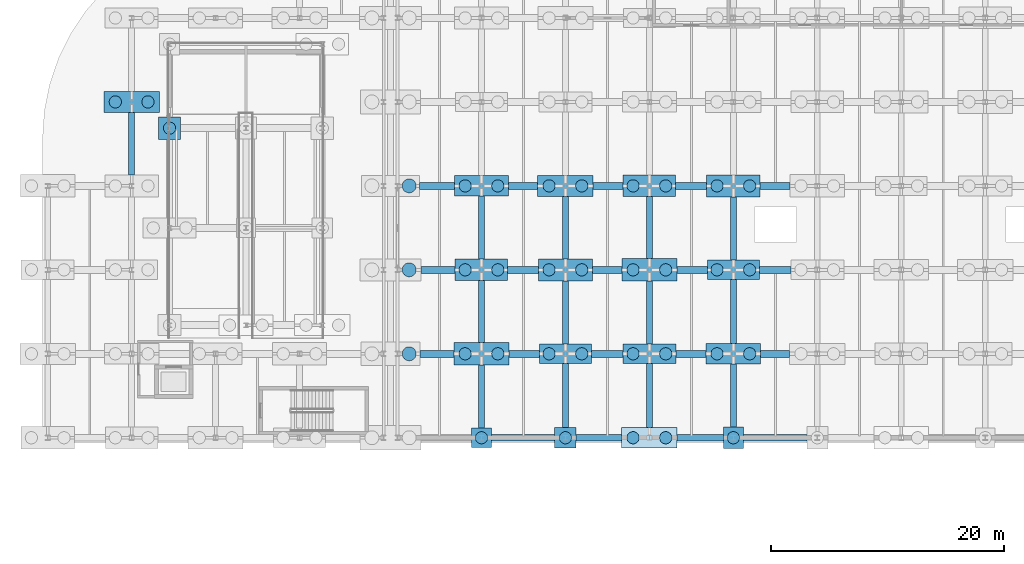
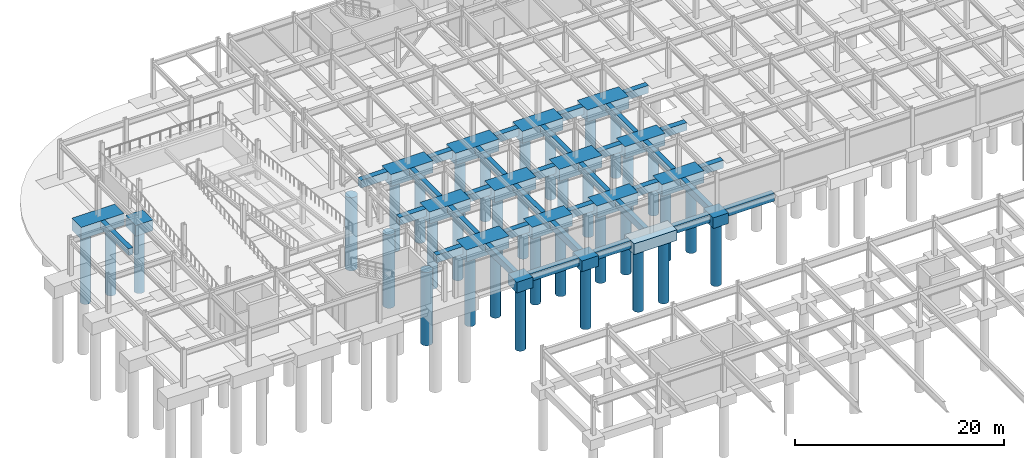
# One storey, part 3 of 54: 50 footings, 35 piles.
"""IFC4 building model written with IfcOpenShell, lengths in metres."""

from ifc_helpers import new_model, si_unit, direction, frame, origin, origin_2d, place, context, subcontext, project, spatial, polyline, rectangle, circle, outline, extrude, material, material_profile, profile_set, type_object, element, save


model = new_model("IFC4")

# Units and contexts
model_context = context("Model", 3, precision=1e-05, world=origin(), true_north=direction((0.0, 1.0)))
body_context = subcontext(model_context, "Body", "Model", "MODEL_VIEW")
ifc_project = project(units=[si_unit("LENGTHUNIT", "METRE"), si_unit("AREAUNIT", "SQUARE_METRE"), si_unit("VOLUMEUNIT", "CUBIC_METRE"), si_unit("PLANEANGLEUNIT", "RADIAN"), si_unit("MASSUNIT", "GRAM", prefix="KILO")], contexts=[model_context])

# Site, building, storey
site_placement = place(None, origin())
site = spatial("IfcSite", under=ifc_project, at=site_placement, CompositionType="ELEMENT")
building_placement = place(site_placement, origin())
building = spatial("IfcBuilding", under=site, at=building_placement, Name="Vaelcorin Mobility Hub", CompositionType="ELEMENT")
storey_placement = place(building_placement, frame((0.0, 0.0, -4.5)))
storey = spatial("IfcBuildingStorey", under=building, at=storey_placement, Name="B1", CompositionType="ELEMENT", Elevation=-4.5)

# Footings
ifc_material = material(Name="Concrete f'c 40 MPa", Category="concrete")
footing_type_1 = type_object("IfcFootingType", Name="FB-500X800", PredefinedType="FOOTING_BEAM", material=ifc_material)
footing_1_placement = place(storey_placement, frame((0.0, 0.0, -0.800048828125)))
element("IfcFooting", 1, at=footing_1_placement, inside=storey, type_object=footing_type_1, Name="Foundation Tie Beam FB-Y-268", PredefinedType="FOOTING_BEAM", context=body_context, shape_type="SweptSolid", body=[
    extrude(outline(polyline([(12.949951171875, 99.35009765625), (13.449951171875, 99.35009765625), (13.449951171875, 104.699951171875), (12.949951171875, 104.699951171875), (12.949951171875, 99.35009765625)])), origin(), (0.0, 0.0, 1.0), 0.800048828125),
])
footing_2_placement = place(storey_placement, frame((0.0, 0.0, -0.800048828125)))
element("IfcFooting", 2, at=footing_2_placement, inside=storey, type_object=footing_type_1, Name="Foundation Tie Beam FB-Y-281", PredefinedType="FOOTING_BEAM", context=body_context, shape_type="SweptSolid", body=[
    extrude(outline(polyline([(42.949951171875, 77.64990234375), (43.449951171875, 77.64990234375), (43.449951171875, 83.02490234375), (42.949951171875, 83.02490234375), (42.949951171875, 77.64990234375)])), origin(), (0.0, 0.0, 1.0), 0.800048828125),
])
footing_3_placement = place(storey_placement, frame((0.0, 0.0, -0.800048828125)))
element("IfcFooting", 3, at=footing_3_placement, inside=storey, type_object=footing_type_1, Name="Foundation Tie Beam FB-Y-282", PredefinedType="FOOTING_BEAM", context=body_context, shape_type="SweptSolid", body=[
    extrude(outline(polyline([(42.949951171875, 84.97509765625), (43.449951171875, 84.97509765625), (43.449951171875, 90.27490234375), (42.949951171875, 90.27490234375), (42.949951171875, 84.97509765625)])), origin(), (0.0, 0.0, 1.0), 0.800048828125),
])
footing_4_placement = place(storey_placement, frame((0.0, 0.0, -0.800048828125)))
element("IfcFooting", 4, at=footing_4_placement, inside=storey, type_object=footing_type_1, Name="Foundation Tie Beam FB-Y-283", PredefinedType="FOOTING_BEAM", context=body_context, shape_type="SweptSolid", body=[
    extrude(outline(polyline([(42.949951171875, 92.125), (43.449951171875, 92.125), (43.449951171875, 97.52490234375), (42.949951171875, 97.52490234375), (42.949951171875, 92.125)])), origin(), (0.0, 0.0, 1.0), 0.800048828125),
])
footing_5_placement = place(storey_placement, frame((0.0, 0.0, -0.800048828125)))
element("IfcFooting", 5, at=footing_5_placement, inside=storey, type_object=footing_type_1, Name="Foundation Tie Beam FB-Y-288", PredefinedType="FOOTING_BEAM", context=body_context, shape_type="SweptSolid", body=[
    extrude(outline(polyline([(50.14990234375, 77.675048828125), (50.64990234375, 77.675048828125), (50.64990234375, 83.175048828125), (50.14990234375, 83.175048828125), (50.14990234375, 77.675048828125)])), origin(), (0.0, 0.0, 1.0), 0.800048828125),
])
footing_6_placement = place(storey_placement, frame((0.0, 0.0, -0.800048828125)))
element("IfcFooting", 6, at=footing_6_placement, inside=storey, type_object=footing_type_1, Name="Foundation Tie Beam FB-Y-289", PredefinedType="FOOTING_BEAM", context=body_context, shape_type="SweptSolid", body=[
    extrude(outline(polyline([(50.14990234375, 84.824951171875), (50.64990234375, 84.824951171875), (50.64990234375, 90.25), (50.14990234375, 90.25), (50.14990234375, 84.824951171875)])), origin(), (0.0, 0.0, 1.0), 0.800048828125),
])
footing_7_placement = place(storey_placement, frame((0.0, 0.0, -0.800048828125)))
element("IfcFooting", 7, at=footing_7_placement, inside=storey, type_object=footing_type_1, Name="Foundation Tie Beam FB-Y-290", PredefinedType="FOOTING_BEAM", context=body_context, shape_type="SweptSolid", body=[
    extrude(outline(polyline([(50.14990234375, 92.14990234375), (50.64990234375, 92.14990234375), (50.64990234375, 97.5), (50.14990234375, 97.5), (50.14990234375, 92.14990234375)])), origin(), (0.0, 0.0, 1.0), 0.800048828125),
])
footing_8_placement = place(storey_placement, frame((0.0, 0.0, -0.800048828125)))
element("IfcFooting", 8, at=footing_8_placement, inside=storey, type_object=footing_type_1, Name="Foundation Tie Beam FB-Y-295", PredefinedType="FOOTING_BEAM", context=body_context, shape_type="SweptSolid", body=[
    extrude(outline(polyline([(57.35009765625, 77.699951171875), (57.85009765625, 77.699951171875), (57.85009765625, 83.14990234375), (57.35009765625, 83.14990234375), (57.35009765625, 77.699951171875)])), origin(), (0.0, 0.0, 1.0), 0.800048828125),
])
footing_9_placement = place(storey_placement, frame((0.0, 0.0, -0.800048828125)))
element("IfcFooting", 9, at=footing_9_placement, inside=storey, type_object=footing_type_1, Name="Foundation Tie Beam FB-Y-296", PredefinedType="FOOTING_BEAM", context=body_context, shape_type="SweptSolid", body=[
    extrude(outline(polyline([(57.35009765625, 84.85009765625), (57.85009765625, 84.85009765625), (57.85009765625, 90.22509765625), (57.35009765625, 90.22509765625), (57.35009765625, 84.85009765625)])), origin(), (0.0, 0.0, 1.0), 0.800048828125),
])
footing_10_placement = place(storey_placement, frame((0.0, 0.0, -0.800048828125)))
element("IfcFooting", 10, at=footing_10_placement, inside=storey, type_object=footing_type_1, Name="Foundation Tie Beam FB-Y-297", PredefinedType="FOOTING_BEAM", context=body_context, shape_type="SweptSolid", body=[
    extrude(outline(polyline([(57.35009765625, 92.175048828125), (57.85009765625, 92.175048828125), (57.85009765625, 97.47509765625), (57.35009765625, 97.47509765625), (57.35009765625, 92.175048828125)])), origin(), (0.0, 0.0, 1.0), 0.800048828125),
])
footing_11_placement = place(storey_placement, frame((0.0, 0.0, -0.800048828125)))
element("IfcFooting", 11, at=footing_11_placement, inside=storey, type_object=footing_type_1, Name="Foundation Tie Beam FB-Y-302", PredefinedType="FOOTING_BEAM", context=body_context, shape_type="SweptSolid", body=[
    extrude(outline(polyline([(64.550048828125, 77.72509765625), (65.050048828125, 77.72509765625), (65.050048828125, 83.125), (64.550048828125, 83.125), (64.550048828125, 77.72509765625)])), origin(), (0.0, 0.0, 1.0), 0.800048828125),
])
footing_12_placement = place(storey_placement, frame((0.0, 0.0, -0.800048828125)))
element("IfcFooting", 12, at=footing_12_placement, inside=storey, type_object=footing_type_1, Name="Foundation Tie Beam FB-Y-303", PredefinedType="FOOTING_BEAM", context=body_context, shape_type="SweptSolid", body=[
    extrude(outline(polyline([(64.550048828125, 84.875), (65.050048828125, 84.875), (65.050048828125, 90.375), (64.550048828125, 90.375), (64.550048828125, 84.875)])), origin(), (0.0, 0.0, 1.0), 0.800048828125),
])
footing_13_placement = place(storey_placement, frame((0.0, 0.0, -0.800048828125)))
element("IfcFooting", 13, at=footing_13_placement, inside=storey, type_object=footing_type_1, Name="Foundation Tie Beam FB-Y-304", PredefinedType="FOOTING_BEAM", context=body_context, shape_type="SweptSolid", body=[
    extrude(outline(polyline([(64.550048828125, 92.02490234375), (65.050048828125, 92.02490234375), (65.050048828125, 97.449951171875), (64.550048828125, 97.449951171875), (64.550048828125, 92.02490234375)])), origin(), (0.0, 0.0, 1.0), 0.800048828125),
])
footing_type_2 = type_object("IfcFootingType", Name="FB-600X900", PredefinedType="FOOTING_BEAM", material=ifc_material)
footing_14_placement = place(storey_placement, frame((0.0, 0.0, -0.89990234375)))
element("IfcFooting", 14, at=footing_14_placement, inside=storey, type_object=footing_type_2, Name="Foundation Tie Beam FB-X-006", PredefinedType="FOOTING_BEAM", context=body_context, shape_type="SweptSolid", body=[
    extrude(outline(polyline([(44.074951171875, 76.5), (49.47509765625, 76.5), (49.47509765625, 77.10009765625), (44.074951171875, 77.10009765625), (44.074951171875, 76.5)])), origin(), (0.0, 0.0, 1.0), 0.89990234375),
])
footing_15_placement = place(storey_placement, frame((0.0, 0.0, -0.89990234375)))
element("IfcFooting", 15, at=footing_15_placement, inside=storey, type_object=footing_type_2, Name="Foundation Tie Beam FB-X-007", PredefinedType="FOOTING_BEAM", context=body_context, shape_type="SweptSolid", body=[
    extrude(outline(polyline([(51.324951171875, 76.5), (55.22509765625, 76.5), (55.22509765625, 77.10009765625), (51.324951171875, 77.10009765625), (51.324951171875, 76.5)])), origin(), (0.0, 0.0, 1.0), 0.89990234375),
])
footing_16_placement = place(storey_placement, frame((0.0, 0.0, -0.89990234375)))
element("IfcFooting", 16, at=footing_16_placement, inside=storey, type_object=footing_type_2, Name="Foundation Tie Beam FB-X-008", PredefinedType="FOOTING_BEAM", context=body_context, shape_type="SweptSolid", body=[
    extrude(outline(polyline([(59.97509765625, 76.5), (63.949951171875, 76.5), (63.949951171875, 77.10009765625), (59.97509765625, 77.10009765625), (59.97509765625, 76.5)])), origin(), (0.0, 0.0, 1.0), 0.89990234375),
])
footing_17_placement = place(storey_placement, frame((0.0, 0.0, -0.89990234375)))
element("IfcFooting", 17, at=footing_17_placement, inside=storey, type_object=footing_type_2, Name="Foundation Tie Beam FB-X-009", PredefinedType="FOOTING_BEAM", context=body_context, shape_type="SweptSolid", body=[
    extrude(outline(polyline([(65.64990234375, 76.5), (71.10009765625, 76.5), (71.10009765625, 77.10009765625), (65.64990234375, 77.10009765625), (65.64990234375, 76.5)])), origin(), (0.0, 0.0, 1.0), 0.89990234375),
])
footing_18_placement = place(storey_placement, frame((0.0, 0.0, -0.89990234375)))
element("IfcFooting", 18, at=footing_18_placement, inside=storey, type_object=footing_type_2, Name="Foundation Tie Beam FB-X-032", PredefinedType="FOOTING_BEAM", context=body_context, shape_type="SweptSolid", body=[
    extrude(outline(polyline([(37.925048828125, 83.699951171875), (40.85009765625, 83.699951171875), (40.85009765625, 84.300048828125), (37.925048828125, 84.300048828125), (37.925048828125, 83.699951171875)])), origin(), (0.0, 0.0, 1.0), 0.89990234375),
])
footing_19_placement = place(storey_placement, frame((0.0, 0.0, -0.89990234375)))
element("IfcFooting", 19, at=footing_19_placement, inside=storey, type_object=footing_type_2, Name="Foundation Tie Beam FB-X-033", PredefinedType="FOOTING_BEAM", context=body_context, shape_type="SweptSolid", body=[
    extrude(outline(polyline([(45.550048828125, 83.699951171875), (48.175048828125, 83.699951171875), (48.175048828125, 84.300048828125), (45.550048828125, 84.300048828125), (45.550048828125, 83.699951171875)])), origin(), (0.0, 0.0, 1.0), 0.89990234375),
])
footing_20_placement = place(storey_placement, frame((0.0, 0.0, -0.89990234375)))
element("IfcFooting", 20, at=footing_20_placement, inside=storey, type_object=footing_type_2, Name="Foundation Tie Beam FB-X-034", PredefinedType="FOOTING_BEAM", context=body_context, shape_type="SweptSolid", body=[
    extrude(outline(polyline([(52.625, 83.699951171875), (55.324951171875, 83.699951171875), (55.324951171875, 84.300048828125), (52.625, 84.300048828125), (52.625, 83.699951171875)])), origin(), (0.0, 0.0, 1.0), 0.89990234375),
])
footing_21_placement = place(storey_placement, frame((0.0, 0.0, -0.89990234375)))
element("IfcFooting", 21, at=footing_21_placement, inside=storey, type_object=footing_type_2, Name="Foundation Tie Beam FB-X-035", PredefinedType="FOOTING_BEAM", context=body_context, shape_type="SweptSolid", body=[
    extrude(outline(polyline([(59.875, 83.699951171875), (62.47509765625, 83.699951171875), (62.47509765625, 84.300048828125), (59.875, 84.300048828125), (59.875, 83.699951171875)])), origin(), (0.0, 0.0, 1.0), 0.89990234375),
])
footing_22_placement = place(storey_placement, frame((0.0, 0.0, -0.89990234375)))
element("IfcFooting", 22, at=footing_22_placement, inside=storey, type_object=footing_type_2, Name="Foundation Tie Beam FB-X-036", PredefinedType="FOOTING_BEAM", context=body_context, shape_type="SweptSolid", body=[
    extrude(outline(polyline([(67.125, 83.699951171875), (69.625, 83.699951171875), (69.625, 84.300048828125), (67.125, 84.300048828125), (67.125, 83.699951171875)])), origin(), (0.0, 0.0, 1.0), 0.89990234375),
])
footing_23_placement = place(storey_placement, frame((0.0, 0.0, -0.89990234375)))
element("IfcFooting", 23, at=footing_23_placement, inside=storey, type_object=footing_type_2, Name="Foundation Tie Beam FB-X-056", PredefinedType="FOOTING_BEAM", context=body_context, shape_type="SweptSolid", body=[
    extrude(outline(polyline([(38.0, 90.89990234375), (40.949951171875, 90.89990234375), (40.949951171875, 91.5), (38.0, 91.5), (38.0, 90.89990234375)])), origin(), (0.0, 0.0, 1.0), 0.89990234375),
])
footing_24_placement = place(storey_placement, frame((0.0, 0.0, -0.89990234375)))
element("IfcFooting", 24, at=footing_24_placement, inside=storey, type_object=footing_type_2, Name="Foundation Tie Beam FB-X-057", PredefinedType="FOOTING_BEAM", context=body_context, shape_type="SweptSolid", body=[
    extrude(outline(polyline([(45.449951171875, 90.89990234375), (48.10009765625, 90.89990234375), (48.10009765625, 91.5), (45.449951171875, 91.5), (45.449951171875, 90.89990234375)])), origin(), (0.0, 0.0, 1.0), 0.89990234375),
])
footing_25_placement = place(storey_placement, frame((0.0, 0.0, -0.89990234375)))
element("IfcFooting", 25, at=footing_25_placement, inside=storey, type_object=footing_type_2, Name="Foundation Tie Beam FB-X-058", PredefinedType="FOOTING_BEAM", context=body_context, shape_type="SweptSolid", body=[
    extrude(outline(polyline([(52.699951171875, 90.89990234375), (55.25, 90.89990234375), (55.25, 91.5), (52.699951171875, 91.5), (52.699951171875, 90.89990234375)])), origin(), (0.0, 0.0, 1.0), 0.89990234375),
])
footing_26_placement = place(storey_placement, frame((0.0, 0.0, -0.89990234375)))
element("IfcFooting", 26, at=footing_26_placement, inside=storey, type_object=footing_type_2, Name="Foundation Tie Beam FB-X-059", PredefinedType="FOOTING_BEAM", context=body_context, shape_type="SweptSolid", body=[
    extrude(outline(polyline([(59.949951171875, 90.89990234375), (62.574951171875, 90.89990234375), (62.574951171875, 91.5), (59.949951171875, 91.5), (59.949951171875, 90.89990234375)])), origin(), (0.0, 0.0, 1.0), 0.89990234375),
])
footing_27_placement = place(storey_placement, frame((0.0, 0.0, -0.89990234375)))
element("IfcFooting", 27, at=footing_27_placement, inside=storey, type_object=footing_type_2, Name="Foundation Tie Beam FB-X-060", PredefinedType="FOOTING_BEAM", context=body_context, shape_type="SweptSolid", body=[
    extrude(outline(polyline([(67.02490234375, 90.89990234375), (69.72509765625, 90.89990234375), (69.72509765625, 91.5), (67.02490234375, 91.5), (67.02490234375, 90.89990234375)])), origin(), (0.0, 0.0, 1.0), 0.89990234375),
])
footing_28_placement = place(storey_placement, frame((0.0, 0.0, -0.89990234375)))
element("IfcFooting", 28, at=footing_28_placement, inside=storey, type_object=footing_type_2, Name="Foundation Tie Beam FB-X-077", PredefinedType="FOOTING_BEAM", context=body_context, shape_type="SweptSolid", body=[
    extrude(outline(polyline([(37.89990234375, 98.10009765625), (40.875, 98.10009765625), (40.875, 98.699951171875), (37.89990234375, 98.699951171875), (37.89990234375, 98.10009765625)])), origin(), (0.0, 0.0, 1.0), 0.89990234375),
])
footing_29_placement = place(storey_placement, frame((0.0, 0.0, -0.89990234375)))
element("IfcFooting", 29, at=footing_29_placement, inside=storey, type_object=footing_type_2, Name="Foundation Tie Beam FB-X-078", PredefinedType="FOOTING_BEAM", context=body_context, shape_type="SweptSolid", body=[
    extrude(outline(polyline([(45.52490234375, 98.10009765625), (48.02490234375, 98.10009765625), (48.02490234375, 98.699951171875), (45.52490234375, 98.699951171875), (45.52490234375, 98.10009765625)])), origin(), (0.0, 0.0, 1.0), 0.89990234375),
])
footing_30_placement = place(storey_placement, frame((0.0, 0.0, -0.89990234375)))
element("IfcFooting", 30, at=footing_30_placement, inside=storey, type_object=footing_type_2, Name="Foundation Tie Beam FB-X-079", PredefinedType="FOOTING_BEAM", context=body_context, shape_type="SweptSolid", body=[
    extrude(outline(polyline([(52.77490234375, 98.10009765625), (55.35009765625, 98.10009765625), (55.35009765625, 98.699951171875), (52.77490234375, 98.699951171875), (52.77490234375, 98.10009765625)])), origin(), (0.0, 0.0, 1.0), 0.89990234375),
])
footing_31_placement = place(storey_placement, frame((0.0, 0.0, -0.89990234375)))
element("IfcFooting", 31, at=footing_31_placement, inside=storey, type_object=footing_type_2, Name="Foundation Tie Beam FB-X-080", PredefinedType="FOOTING_BEAM", context=body_context, shape_type="SweptSolid", body=[
    extrude(outline(polyline([(59.85009765625, 98.10009765625), (62.5, 98.10009765625), (62.5, 98.699951171875), (59.85009765625, 98.699951171875), (59.85009765625, 98.10009765625)])), origin(), (0.0, 0.0, 1.0), 0.89990234375),
])
footing_32_placement = place(storey_placement, frame((0.0, 0.0, -0.89990234375)))
element("IfcFooting", 32, at=footing_32_placement, inside=storey, type_object=footing_type_2, Name="Foundation Tie Beam FB-X-081", PredefinedType="FOOTING_BEAM", context=body_context, shape_type="SweptSolid", body=[
    extrude(outline(polyline([(67.10009765625, 98.10009765625), (69.64990234375, 98.10009765625), (69.64990234375, 98.699951171875), (67.10009765625, 98.699951171875), (67.10009765625, 98.10009765625)])), origin(), (0.0, 0.0, 1.0), 0.89990234375),
])
footing_type_3 = type_object("IfcFootingType", Name="FTG-PC-01", PredefinedType="PILE_CAP", material=ifc_material)
for number, where, z_axis, x_axis, name in (
    (33, (50.39990234375, 91.199951171875, -1.39990234375), (0.0, 0.0, 1.0), (1.0, 0.0, 0.0), "Pile Cap PC-01 043"),
    (34, (64.800048828125, 98.39990234375, -1.39990234375), (0.0, 0.0, 1.0), (1.0, 0.0, 0.0), "Pile Cap PC-01 064"),
):
    element("IfcFooting", number, at=place(storey_placement, frame(where, z_axis=z_axis, x_axis=x_axis)), inside=storey, type_object=footing_type_3, Name=name, PredefinedType="PILE_CAP", context=body_context, shape_type="SweptSolid", body=[
        extrude(rectangle(XDim=4.60009765625, YDim=1.89990234375, at=origin_2d()), origin(), (0.0, 0.0, 1.0), 1.39990234375),
    ])
footing_type_4 = type_object("IfcFootingType", Name="FTG-PC-02", PredefinedType="PILE_CAP", material=ifc_material)
for number, where, z_axis, x_axis, name in (
    (35, (13.199951171875, 105.60009765625, -1.39990234375), (0.0, 0.0, 1.0), (1.0, 0.0, 0.0), "Pile Cap PC-02 009"),
    (36, (50.39990234375, 98.39990234375, -1.39990234375), (0.0, 0.0, 1.0), (1.0, 0.0, 0.0), "Pile Cap PC-02 044"),
):
    element("IfcFooting", number, at=place(storey_placement, frame(where, z_axis=z_axis, x_axis=x_axis)), inside=storey, type_object=footing_type_4, Name=name, PredefinedType="PILE_CAP", context=body_context, shape_type="SweptSolid", body=[
        extrude(rectangle(XDim=4.75, YDim=1.800048828125, at=origin_2d()), origin(), (0.0, 0.0, 1.0), 1.39990234375),
    ])
footing_type_5 = type_object("IfcFootingType", Name="FTG-PC-03", PredefinedType="PILE_CAP", material=ifc_material)
footing_33_placement = place(storey_placement, frame((57.60009765625, 84.0, -1.39990234375), z_axis=(0.0, 0.0, 1.0), x_axis=(1.0, 0.0, 0.0)))
element("IfcFooting", 37, at=footing_33_placement, inside=storey, type_object=footing_type_5, Name="Pile Cap PC-03 052", PredefinedType="PILE_CAP", context=body_context, shape_type="SweptSolid", body=[
    extrude(rectangle(XDim=4.550048828125, YDim=1.699951171875, at=origin_2d()), origin(), (0.0, 0.0, 1.0), 1.39990234375),
])
footing_type_6 = type_object("IfcFootingType", Name="FTG-PC-04", PredefinedType="PILE_CAP", material=ifc_material)
for number, where, z_axis, x_axis, name in (
    (38, (43.199951171875, 84.0, -1.39990234375), (0.0, 0.0, 1.0), (1.0, 0.0, 0.0), "Pile Cap PC-04 032"),
    (39, (57.60009765625, 91.199951171875, -1.39990234375), (0.0, 0.0, 1.0), (1.0, 0.0, 0.0), "Pile Cap PC-04 053"),
):
    element("IfcFooting", number, at=place(storey_placement, frame(where, z_axis=z_axis, x_axis=x_axis)), inside=storey, type_object=footing_type_6, Name=name, PredefinedType="PILE_CAP", context=body_context, shape_type="SweptSolid", body=[
        extrude(rectangle(XDim=4.699951171875, YDim=1.949951171875, at=origin_2d()), origin(), (0.0, 0.0, 1.0), 1.39990234375),
    ])
footing_type_7 = type_object("IfcFootingType", Name="FTG-PC-05", PredefinedType="PILE_CAP", material=ifc_material)
for number, where, z_axis, x_axis, name in (
    (40, (43.199951171875, 91.199951171875, -1.39990234375), (0.0, 0.0, 1.0), (1.0, 0.0, 0.0), "Pile Cap PC-05 033"),
    (41, (57.60009765625, 98.39990234375, -1.39990234375), (0.0, 0.0, 1.0), (1.0, 0.0, 0.0), "Pile Cap PC-05 054"),
):
    element("IfcFooting", number, at=place(storey_placement, frame(where, z_axis=z_axis, x_axis=x_axis)), inside=storey, type_object=footing_type_7, Name=name, PredefinedType="PILE_CAP", context=body_context, shape_type="SweptSolid", body=[
        extrude(rectangle(XDim=4.5, YDim=1.85009765625, at=origin_2d()), origin(), (0.0, 0.0, 1.0), 1.39990234375),
    ])
footing_type_8 = type_object("IfcFootingType", Name="FTG-PC-06", PredefinedType="PILE_CAP", material=ifc_material)
for number, where, z_axis, x_axis, name in (
    (42, (43.199951171875, 98.39990234375, -1.39990234375), (0.0, 0.0, 1.0), (1.0, 0.0, 0.0), "Pile Cap PC-06 034"),
    (43, (64.800048828125, 84.0, -1.39990234375), (0.0, 0.0, 1.0), (1.0, 0.0, 0.0), "Pile Cap PC-06 062"),
):
    element("IfcFooting", number, at=place(storey_placement, frame(where, z_axis=z_axis, x_axis=x_axis)), inside=storey, type_object=footing_type_8, Name=name, PredefinedType="PILE_CAP", context=body_context, shape_type="SweptSolid", body=[
        extrude(rectangle(XDim=4.64990234375, YDim=1.75, at=origin_2d()), origin(), (0.0, 0.0, 1.0), 1.39990234375),
    ])
footing_type_9 = type_object("IfcFootingType", Name="FTG-PC-07", PredefinedType="PILE_CAP", material=ifc_material)
for number, where, z_axis, x_axis, name in (
    (44, (50.39990234375, 84.0, -1.39990234375), (0.0, 0.0, 1.0), (1.0, 0.0, 0.0), "Pile Cap PC-07 042"),
    (45, (64.800048828125, 91.199951171875, -1.39990234375), (0.0, 0.0, 1.0), (1.0, 0.0, 0.0), "Pile Cap PC-07 063"),
):
    element("IfcFooting", number, at=place(storey_placement, frame(where, z_axis=z_axis, x_axis=x_axis)), inside=storey, type_object=footing_type_9, Name=name, PredefinedType="PILE_CAP", context=body_context, shape_type="SweptSolid", body=[
        extrude(rectangle(XDim=4.449951171875, YDim=1.64990234375, at=origin_2d()), origin(), (0.0, 0.0, 1.0), 1.39990234375),
    ])
footing_type_10 = type_object("IfcFootingType", Name="FTG-PC-21", PredefinedType="PILE_CAP", material=ifc_material)
footing_34_placement = place(storey_placement, frame((43.199951171875, 76.800048828125, -1.25), z_axis=(0.0, 0.0, 1.0), x_axis=(1.0, 0.0, 0.0)))
element("IfcFooting", 46, at=footing_34_placement, inside=storey, type_object=footing_type_10, Name="Pile Cap PC-21 031", PredefinedType="PILE_CAP", context=body_context, shape_type="SweptSolid", body=[
    extrude(rectangle(XDim=1.75, YDim=1.699951171875, at=origin_2d()), origin(), (0.0, 0.0, 1.0), 1.25),
])
footing_type_11 = type_object("IfcFootingType", Name="FTG-PC-23", PredefinedType="PILE_CAP", material=ifc_material)
footing_35_placement = place(storey_placement, frame((50.39990234375, 76.800048828125, -1.25), z_axis=(0.0, 0.0, 1.0), x_axis=(1.0, 0.0, 0.0)))
element("IfcFooting", 47, at=footing_35_placement, inside=storey, type_object=footing_type_11, Name="Pile Cap PC-23 041", PredefinedType="PILE_CAP", context=body_context, shape_type="SweptSolid", body=[
    extrude(rectangle(XDim=1.85009765625, YDim=1.75, at=origin_2d()), origin(), (0.0, 0.0, 1.0), 1.25),
])
footing_type_12 = type_object("IfcFootingType", Name="FTG-PC-24", PredefinedType="PILE_CAP", material=ifc_material)
footing_36_placement = place(storey_placement, frame((57.60009765625, 76.800048828125, -1.25), z_axis=(0.0, 0.0, 1.0), x_axis=(1.0, 0.0, 0.0)))
element("IfcFooting", 48, at=footing_36_placement, inside=storey, type_object=footing_type_12, Name="Pile Cap PC-24 051", PredefinedType="PILE_CAP", context=body_context, shape_type="SweptSolid", body=[
    extrude(rectangle(XDim=4.75, YDim=1.800048828125, at=origin_2d()), origin(), (0.0, 0.0, 1.0), 1.25),
])
footing_type_13 = type_object("IfcFootingType", Name="FTG-PC-25", PredefinedType="PILE_CAP", material=ifc_material)
footing_37_placement = place(storey_placement, frame((64.800048828125, 76.800048828125, -1.25), z_axis=(0.0, 0.0, 1.0), x_axis=(1.0, 0.0, 0.0)))
element("IfcFooting", 49, at=footing_37_placement, inside=storey, type_object=footing_type_13, Name="Pile Cap PC-25 061", PredefinedType="PILE_CAP", context=body_context, shape_type="SweptSolid", body=[
    extrude(rectangle(XDim=1.699951171875, YDim=1.85009765625, at=origin_2d()), origin(), (0.0, 0.0, 1.0), 1.25),
])
footing_type_14 = type_object("IfcFootingType", Name="FTG-PC-35", PredefinedType="PILE_CAP", material=ifc_material)
footing_38_placement = place(storey_placement, frame((16.449951171875, 103.35009765625, -1.25), z_axis=(0.0, 0.0, 1.0), x_axis=(1.0, 0.0, 0.0)))
element("IfcFooting", 50, at=footing_38_placement, inside=storey, type_object=footing_type_14, Name="Pile Cap PC-35 277", PredefinedType="PILE_CAP", context=body_context, shape_type="SweptSolid", body=[
    extrude(rectangle(XDim=1.89990234375, YDim=1.949951171875, at=origin_2d()), origin(), (0.0, 0.0, 1.0), 1.25),
])

# Piles
ifc_material_profile_1 = material_profile(ifc_material, circle(Radius=0.52490234375, at=origin_2d()), Name="BP-D1050")
ifc_profile_set_1 = profile_set([ifc_material_profile_1], Name="Concrete f'c 40 MPa")
pile_type_1 = type_object("IfcPileType", Name="PILE-D1050", PredefinedType="BORED", material=ifc_profile_set_1)
for number, where, z_axis, x_axis, name in (
    (51, (11.800048828125, 105.60009765625, -1.300048828125), (0.0, 0.0, -1.0), (1.0, 0.0, 0.0), "Bored Pile CAP-009-P1"),
    (52, (14.60009765625, 105.60009765625, -1.300048828125), (0.0, 0.0, -1.0), (1.0, 0.0, 0.0), "Bored Pile CAP-009-P2"),
):
    element("IfcPile", number, at=place(storey_placement, frame(where, z_axis=z_axis, x_axis=x_axis)), inside=storey, type_object=pile_type_1, Name=name, PredefinedType="BORED", context=body_context, shape_type="SweptSolid", body=[
        extrude(circle(Radius=0.52490234375, at=origin_2d()), origin(), (0.0, 0.0, 1.0), 8.199951171875),
    ])
pile_1_placement = place(storey_placement, frame((43.199951171875, 76.800048828125, -1.14990234375), z_axis=(0.0, 0.0, -1.0), x_axis=(1.0, 0.0, 0.0)))
element("IfcPile", 53, at=pile_1_placement, inside=storey, type_object=pile_type_1, Name="Bored Pile CAP-031-P1", PredefinedType="BORED", context=body_context, shape_type="SweptSolid", body=[
    extrude(circle(Radius=0.52490234375, at=origin_2d()), origin(), (0.0, 0.0, 1.0), 7.35009765625),
])
for number, where, z_axis, x_axis, name in (
    (54, (41.800048828125, 84.0, -1.300048828125), (0.0, 0.0, -1.0), (1.0, 0.0, 0.0), "Bored Pile CAP-032-P1"),
    (55, (44.60009765625, 84.0, -1.300048828125), (0.0, 0.0, -1.0), (1.0, 0.0, 0.0), "Bored Pile CAP-032-P2"),
    (56, (41.800048828125, 91.199951171875, -1.300048828125), (0.0, 0.0, -1.0), (1.0, 0.0, 0.0), "Bored Pile CAP-033-P1"),
    (57, (44.60009765625, 91.199951171875, -1.300048828125), (0.0, 0.0, -1.0), (1.0, 0.0, 0.0), "Bored Pile CAP-033-P2"),
    (58, (41.800048828125, 98.39990234375, -1.300048828125), (0.0, 0.0, -1.0), (1.0, 0.0, 0.0), "Bored Pile CAP-034-P1"),
    (59, (44.60009765625, 98.39990234375, -1.300048828125), (0.0, 0.0, -1.0), (1.0, 0.0, 0.0), "Bored Pile CAP-034-P2"),
):
    element("IfcPile", number, at=place(storey_placement, frame(where, z_axis=z_axis, x_axis=x_axis)), inside=storey, type_object=pile_type_1, Name=name, PredefinedType="BORED", context=body_context, shape_type="SweptSolid", body=[
        extrude(circle(Radius=0.52490234375, at=origin_2d()), origin(), (0.0, 0.0, 1.0), 8.199951171875),
    ])
pile_2_placement = place(storey_placement, frame((50.39990234375, 76.800048828125, -1.14990234375), z_axis=(0.0, 0.0, -1.0), x_axis=(1.0, 0.0, 0.0)))
element("IfcPile", 60, at=pile_2_placement, inside=storey, type_object=pile_type_1, Name="Bored Pile CAP-041-P1", PredefinedType="BORED", context=body_context, shape_type="SweptSolid", body=[
    extrude(circle(Radius=0.52490234375, at=origin_2d()), origin(), (0.0, 0.0, 1.0), 7.35009765625),
])
for number, where, z_axis, x_axis, name in (
    (61, (49.0, 84.0, -1.300048828125), (0.0, 0.0, -1.0), (1.0, 0.0, 0.0), "Bored Pile CAP-042-P1"),
    (62, (51.800048828125, 84.0, -1.300048828125), (0.0, 0.0, -1.0), (1.0, 0.0, 0.0), "Bored Pile CAP-042-P2"),
    (63, (49.0, 91.199951171875, -1.300048828125), (0.0, 0.0, -1.0), (1.0, 0.0, 0.0), "Bored Pile CAP-043-P1"),
    (64, (51.800048828125, 91.199951171875, -1.300048828125), (0.0, 0.0, -1.0), (1.0, 0.0, 0.0), "Bored Pile CAP-043-P2"),
    (65, (49.0, 98.39990234375, -1.300048828125), (0.0, 0.0, -1.0), (1.0, 0.0, 0.0), "Bored Pile CAP-044-P1"),
    (66, (51.800048828125, 98.39990234375, -1.300048828125), (0.0, 0.0, -1.0), (1.0, 0.0, 0.0), "Bored Pile CAP-044-P2"),
):
    element("IfcPile", number, at=place(storey_placement, frame(where, z_axis=z_axis, x_axis=x_axis)), inside=storey, type_object=pile_type_1, Name=name, PredefinedType="BORED", context=body_context, shape_type="SweptSolid", body=[
        extrude(circle(Radius=0.52490234375, at=origin_2d()), origin(), (0.0, 0.0, 1.0), 8.199951171875),
    ])
for number, where, z_axis, x_axis, name in (
    (67, (56.199951171875, 76.800048828125, -1.14990234375), (0.0, 0.0, -1.0), (1.0, 0.0, 0.0), "Bored Pile CAP-051-P1"),
    (68, (59.0, 76.800048828125, -1.14990234375), (0.0, 0.0, -1.0), (1.0, 0.0, 0.0), "Bored Pile CAP-051-P2"),
):
    element("IfcPile", number, at=place(storey_placement, frame(where, z_axis=z_axis, x_axis=x_axis)), inside=storey, type_object=pile_type_1, Name=name, PredefinedType="BORED", context=body_context, shape_type="SweptSolid", body=[
        extrude(circle(Radius=0.52490234375, at=origin_2d()), origin(), (0.0, 0.0, 1.0), 7.35009765625),
    ])
for number, where, z_axis, x_axis, name in (
    (69, (56.199951171875, 84.0, -1.300048828125), (0.0, 0.0, -1.0), (1.0, 0.0, 0.0), "Bored Pile CAP-052-P1"),
    (70, (59.0, 84.0, -1.300048828125), (0.0, 0.0, -1.0), (1.0, 0.0, 0.0), "Bored Pile CAP-052-P2"),
    (71, (56.199951171875, 91.199951171875, -1.300048828125), (0.0, 0.0, -1.0), (1.0, 0.0, 0.0), "Bored Pile CAP-053-P1"),
    (72, (59.0, 91.199951171875, -1.300048828125), (0.0, 0.0, -1.0), (1.0, 0.0, 0.0), "Bored Pile CAP-053-P2"),
    (73, (56.199951171875, 98.39990234375, -1.300048828125), (0.0, 0.0, -1.0), (1.0, 0.0, 0.0), "Bored Pile CAP-054-P1"),
    (74, (59.0, 98.39990234375, -1.300048828125), (0.0, 0.0, -1.0), (1.0, 0.0, 0.0), "Bored Pile CAP-054-P2"),
):
    element("IfcPile", number, at=place(storey_placement, frame(where, z_axis=z_axis, x_axis=x_axis)), inside=storey, type_object=pile_type_1, Name=name, PredefinedType="BORED", context=body_context, shape_type="SweptSolid", body=[
        extrude(circle(Radius=0.52490234375, at=origin_2d()), origin(), (0.0, 0.0, 1.0), 8.199951171875),
    ])
pile_3_placement = place(storey_placement, frame((64.800048828125, 76.800048828125, -1.14990234375), z_axis=(0.0, 0.0, -1.0), x_axis=(1.0, 0.0, 0.0)))
element("IfcPile", 75, at=pile_3_placement, inside=storey, type_object=pile_type_1, Name="Bored Pile CAP-061-P1", PredefinedType="BORED", context=body_context, shape_type="SweptSolid", body=[
    extrude(circle(Radius=0.52490234375, at=origin_2d()), origin(), (0.0, 0.0, 1.0), 7.35009765625),
])
for number, where, z_axis, x_axis, name in (
    (76, (63.39990234375, 84.0, -1.300048828125), (0.0, 0.0, -1.0), (1.0, 0.0, 0.0), "Bored Pile CAP-062-P1"),
    (77, (66.199951171875, 84.0, -1.300048828125), (0.0, 0.0, -1.0), (1.0, 0.0, 0.0), "Bored Pile CAP-062-P2"),
    (78, (63.39990234375, 91.199951171875, -1.300048828125), (0.0, 0.0, -1.0), (1.0, 0.0, 0.0), "Bored Pile CAP-063-P1"),
    (79, (66.199951171875, 91.199951171875, -1.300048828125), (0.0, 0.0, -1.0), (1.0, 0.0, 0.0), "Bored Pile CAP-063-P2"),
    (80, (63.39990234375, 98.39990234375, -1.300048828125), (0.0, 0.0, -1.0), (1.0, 0.0, 0.0), "Bored Pile CAP-064-P1"),
    (81, (66.199951171875, 98.39990234375, -1.300048828125), (0.0, 0.0, -1.0), (1.0, 0.0, 0.0), "Bored Pile CAP-064-P2"),
):
    element("IfcPile", number, at=place(storey_placement, frame(where, z_axis=z_axis, x_axis=x_axis)), inside=storey, type_object=pile_type_1, Name=name, PredefinedType="BORED", context=body_context, shape_type="SweptSolid", body=[
        extrude(circle(Radius=0.52490234375, at=origin_2d()), origin(), (0.0, 0.0, 1.0), 8.199951171875),
    ])
pile_4_placement = place(storey_placement, frame((16.449951171875, 103.35009765625, -1.14990234375), z_axis=(0.0, 0.0, -1.0), x_axis=(1.0, 0.0, 0.0)))
element("IfcPile", 82, at=pile_4_placement, inside=storey, type_object=pile_type_1, Name="Bored Pile CAP-277-P1", PredefinedType="BORED", context=body_context, shape_type="SweptSolid", body=[
    extrude(circle(Radius=0.52490234375, at=origin_2d()), origin(), (0.0, 0.0, 1.0), 7.35009765625),
])
ifc_material_profile_2 = material_profile(ifc_material, circle(Radius=0.60009765625, at=origin_2d()), Name="BP-D1200")
ifc_profile_set_2 = profile_set([ifc_material_profile_2], Name="Concrete f'c 40 MPa")
pile_type_2 = type_object("IfcPileType", Name="PILE-D1200", PredefinedType="BORED", material=ifc_profile_set_2)
for number, where, z_axis, x_axis, name in (
    (83, (37.0, 84.0, -1.449951171875), (0.0, 0.0, -1.0), (1.0, 0.0, 0.0), "Bored Pile CAP-019-P2"),
    (84, (37.0, 91.199951171875, -1.449951171875), (0.0, 0.0, -1.0), (1.0, 0.0, 0.0), "Bored Pile CAP-020-P2"),
    (85, (37.0, 98.39990234375, -1.449951171875), (0.0, 0.0, -1.0), (1.0, 0.0, 0.0), "Bored Pile CAP-021-P2"),
):
    element("IfcPile", number, at=place(storey_placement, frame(where, z_axis=z_axis, x_axis=x_axis)), inside=storey, type_object=pile_type_2, Name=name, PredefinedType="BORED", context=body_context, shape_type="SweptSolid", body=[
        extrude(circle(Radius=0.60009765625, at=origin_2d()), origin(), (0.0, 0.0, 1.0), 8.550048828125),
    ])

save(model, "model.ifc")
